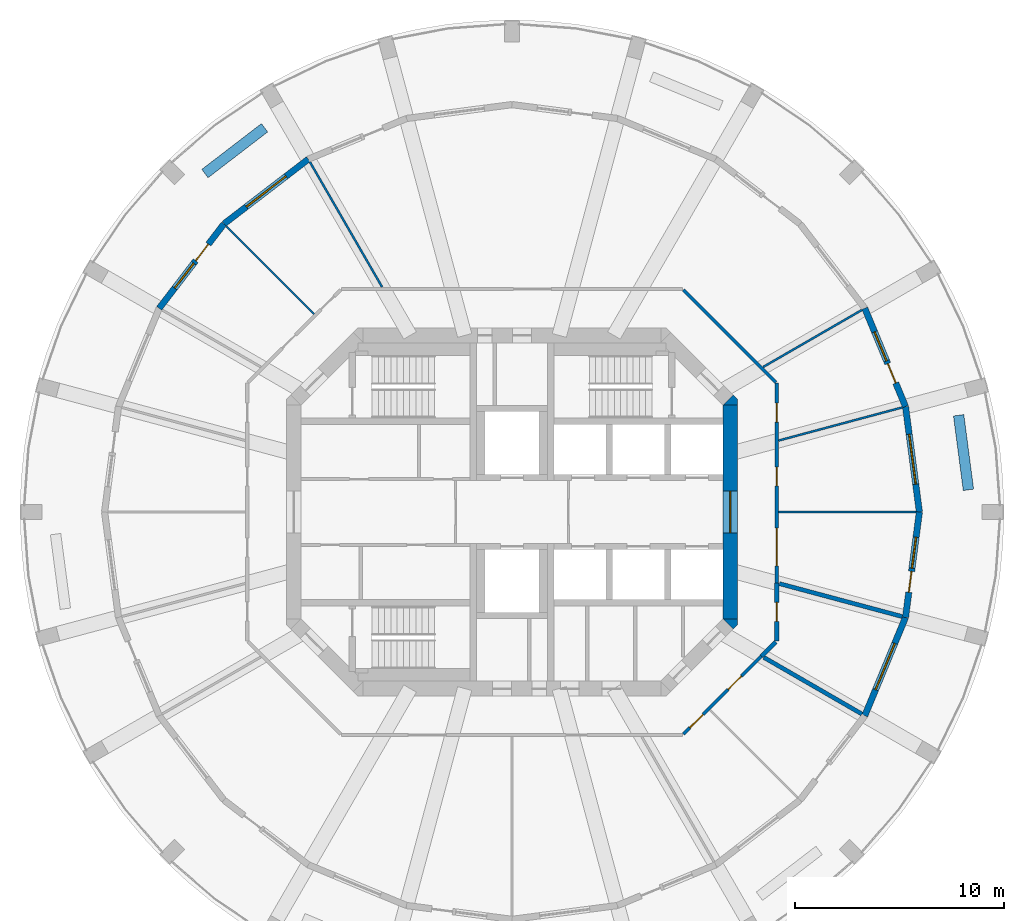
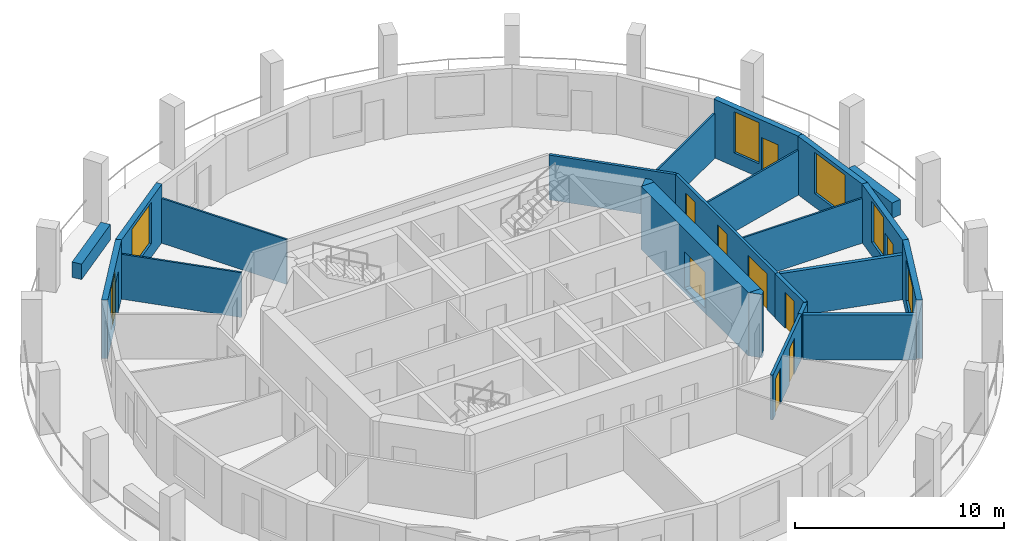
# One storey, part 5 of 8: 23 walls, 10 doors, 6 windows, 16 openings.
"""IFC4 building model written with IfcOpenShell, lengths in metres."""

from ifc_helpers import new_model, si_unit, direction, frame, frame_2d, origin, place, context, subcontext, project, spatial, polyline, rectangle, outline, extrude, material, layer, layer_set, type_object, element, fill, save


model = new_model("IFC4")

# Units and contexts
model_context = context("Model", 3, precision=1e-05, world=origin(), true_north=direction((0.0, 1.0)))
body_context = subcontext(model_context, "Body", "Model", "MODEL_VIEW")
ifc_project = project(units=[si_unit("LENGTHUNIT", "METRE"), si_unit("AREAUNIT", "SQUARE_METRE"), si_unit("VOLUMEUNIT", "CUBIC_METRE"), si_unit("PLANEANGLEUNIT", "RADIAN"), si_unit("MASSUNIT", "GRAM", prefix="KILO")], contexts=[model_context])

# Site, building, storey
site_placement = place(None, origin())
site = spatial("IfcSite", under=ifc_project, at=site_placement, CompositionType="ELEMENT")
building_placement = place(site_placement, origin())
building = spatial("IfcBuilding", under=site, at=building_placement, Name="Torre Triforio", CompositionType="ELEMENT")
storey_placement = place(building_placement, frame((0.0, 0.0, 192.800048828125)))
storey = spatial("IfcBuildingStorey", under=building, at=storey_placement, Name="L43", CompositionType="ELEMENT", Elevation=192.800048828125)

# Wall, opening, door
ifc_material_1 = material(Name="Concrete C50", Category="concrete")
ifc_layer_1 = layer(ifc_material_1, 0.699951171875)
ifc_layer_set_1 = layer_set([ifc_layer_1], Name="Concrete C50")
wall_type_1 = type_object("IfcWallType", Name="Core wall 700 mm C50 EI 120", PredefinedType="SHEAR", material=ifc_layer_set_1)
wall_1_placement = place(storey_placement, frame((10.449951171875, -5.1298828125, -0.280029296875), z_axis=(0.0, 0.0, 1.0), x_axis=(0.0, 1.0, 0.0)))
wall_1 = element("IfcWall", 1, at=wall_1_placement, inside=storey, type_object=wall_type_1, Name="Core wall", PredefinedType="SHEAR", context=body_context, shape_type="SweptSolid", body=[
    extrude(rectangle(XDim=10.259765625, YDim=0.699951171875, at=frame_2d((5.1298828125, 0.0))), origin(), (0.0, 0.0, 1.0), 3.699951171875),
])
opening_1_placement = place(wall_1_placement, frame((4.1298828125, 0.0, 0.280029296875)))
opening_1 = element("IfcOpeningElement", 2, at=opening_1_placement, cuts=wall_1, Name="Opening E-RING", PredefinedType="OPENING", context=body_context, shape_type="SweptSolid", body=[
    extrude(rectangle(XDim=2.0, YDim=2.10009765625, at=frame_2d((1.0, 1.050048828125))), frame((0.0, 0.35986328125, 0.0), z_axis=(0.0, -1.0, 0.0), x_axis=(1.0, 0.0, 0.0)), (0.0, 0.0, 1.0), 0.719970703125),
])
ifc_material_2 = material(Name="Hollow metal fire door leaf")
door_type_1 = type_object("IfcDoorType", Name="Lobby door 2000 x 2100 EI 60", OperationType="DOUBLE_DOOR_SINGLE_SWING", PredefinedType="DOOR", material=ifc_material_2)
door_1_placement = place(opening_1_placement, origin())
door_1 = element("IfcDoor", 3, at=door_1_placement, inside=storey, type_object=door_type_1, Name="Core door E-RING", OperationType="DOUBLE_DOOR_SINGLE_SWING", OverallHeight=2.10009765625, OverallWidth=2.0, PredefinedType="DOOR", context=body_context, shape_type="SweptSolid", body=[
    extrude(rectangle(XDim=2.0, YDim=2.10009765625, at=frame_2d((1.0, 1.050048828125))), frame((0.0, 0.02490234375, 0.0), z_axis=(0.0, -1.0, 0.0), x_axis=(1.0, 0.0, 0.0)), (0.0, 0.0, 1.0), 0.050048828125),
])
fill(opening_1, door_1)

# Walls
wall_2_placement = place(storey_placement, frame((0.0, 0.0, -0.280029296875)))
element("IfcWall", 4, at=wall_2_placement, inside=storey, type_object=wall_type_1, Name="Core wall", PredefinedType="SHEAR", context=body_context, shape_type="SweptSolid", body=[
    extrude(outline(polyline([(10.800048828125, -5.389892578125), (10.594970703125, -5.594970703125), (10.594970703125, -5.594970703125), (10.594970703125, -5.594970703125), (10.1298828125, -5.1298828125), (10.800048828125, -5.1298828125), (10.800048828125, -5.1298828125), (10.800048828125, -5.389892578125)])), origin(), (0.0, 0.0, 1.0), 3.699951171875),
])
wall_3_placement = place(storey_placement, frame((0.0, 0.0, -0.280029296875)))
element("IfcWall", 5, at=wall_3_placement, inside=storey, type_object=wall_type_1, Name="Core wall", PredefinedType="SHEAR", context=body_context, shape_type="SweptSolid", body=[
    extrude(outline(polyline([(10.800048828125, 5.389892578125), (10.800048828125, 5.1298828125), (10.800048828125, 5.1298828125), (10.1298828125, 5.1298828125), (10.594970703125, 5.594970703125), (10.594970703125, 5.594970703125), (10.594970703125, 5.594970703125), (10.800048828125, 5.389892578125)])), origin(), (0.0, 0.0, 1.0), 3.699951171875),
])

# Wall, openings, doors
ifc_material_3 = material(Name="Plasterboard on metal studs")
ifc_layer_2 = layer(ifc_material_3, 0.14990234375)
ifc_layer_set_2 = layer_set([ifc_layer_2], Name="Plasterboard on metal studs")
wall_type_2 = type_object("IfcWallType", Name="Corridor and tenancy wall 150 mm EI 60", PredefinedType="PARTITIONING", material=ifc_layer_set_2)
wall_4_placement = place(storey_placement, frame((11.945068359375, -6.896484375, 0.0), z_axis=(0.0, 0.0, 1.0), x_axis=(-0.707106781187, -0.707106781187, 0.0)))
wall_4 = element("IfcWall", 6, at=wall_4_placement, inside=storey, type_object=wall_type_2, Name="Partition 2", PredefinedType="PARTITIONING", context=body_context, shape_type="SweptSolid", body=[
    extrude(rectangle(XDim=5.291259765625, YDim=0.14990234375, at=frame_2d((2.6455078125, 0.0))), origin(), (0.0, 0.0, 1.0), 2.619873046875),
])
opening_2_placement = place(wall_4_placement, frame((3.95556640625, 0.0, 0.0)))
opening_2 = element("IfcOpeningElement", 7, at=opening_2_placement, cuts=wall_4, Name="Opening O4-10", PredefinedType="OPENING", context=body_context, shape_type="SweptSolid", body=[
    extrude(rectangle(XDim=0.89990234375, YDim=2.10009765625, at=frame_2d((0.449951171875, 1.050048828125))), frame((0.0, 0.0849609375, 0.0), z_axis=(0.0, -1.0, 0.0), x_axis=(1.0, 0.0, 0.0)), (0.0, 0.0, 1.0), 0.169921875),
])
opening_3_placement = place(wall_4_placement, frame((1.35986328125, 0.0, 0.0)))
opening_3 = element("IfcOpeningElement", 8, at=opening_3_placement, cuts=wall_4, Name="Opening O4-11", PredefinedType="OPENING", context=body_context, shape_type="SweptSolid", body=[
    extrude(rectangle(XDim=0.89990234375, YDim=2.10009765625, at=frame_2d((0.449951171875, 1.050048828125))), frame((0.0, 0.0849609375, 0.0), z_axis=(0.0, -1.0, 0.0), x_axis=(1.0, 0.0, 0.0)), (0.0, 0.0, 1.0), 0.169921875),
])
ifc_material_4 = material(Name="Timber", Category="wood")
door_type_2 = type_object("IfcDoorType", Name="Door 900 x 2100 single leaf EI 30", OperationType="NOTDEFINED", PredefinedType="DOOR", material=ifc_material_4)
door_2_placement = place(opening_2_placement, origin())
door_2 = element("IfcDoor", 9, at=door_2_placement, inside=storey, type_object=door_type_2, Name="Door O4-10", OperationType="SINGLE_SWING_LEFT", OverallHeight=2.10009765625, OverallWidth=0.89990234375, PredefinedType="DOOR", context=body_context, shape_type="SweptSolid", body=[
    extrude(rectangle(XDim=0.89990234375, YDim=2.10009765625, at=frame_2d((0.449951171875, 1.050048828125))), frame((0.0, 0.02490234375, 0.0), z_axis=(0.0, -1.0, 0.0), x_axis=(1.0, 0.0, 0.0)), (0.0, 0.0, 1.0), 0.050048828125),
])
fill(opening_2, door_2)
door_3_placement = place(opening_3_placement, origin())
door_3 = element("IfcDoor", 10, at=door_3_placement, inside=storey, type_object=door_type_2, Name="Door O4-11", OperationType="SINGLE_SWING_LEFT", OverallHeight=2.10009765625, OverallWidth=0.89990234375, PredefinedType="DOOR", context=body_context, shape_type="SweptSolid", body=[
    extrude(rectangle(XDim=0.89990234375, YDim=2.10009765625, at=frame_2d((0.449951171875, 1.050048828125))), frame((0.0, 0.02490234375, 0.0), z_axis=(0.0, -1.0, 0.0), x_axis=(1.0, 0.0, 0.0)), (0.0, 0.0, 1.0), 0.050048828125),
])
fill(opening_3, door_3)

# Wall
wall_5_placement = place(storey_placement, frame((8.20361328125, 10.637939453125, 0.0), z_axis=(0.0, 0.0, 1.0), x_axis=(0.707106781187, -0.707106781187, 0.0)))
element("IfcWall", 11, at=wall_5_placement, inside=storey, type_object=wall_type_2, Name="Partition 8", PredefinedType="PARTITIONING", context=body_context, shape_type="SweptSolid", body=[
    extrude(rectangle(XDim=6.27099609375, YDim=0.14990234375, at=frame_2d((3.135498046875, 0.0))), origin(), (0.0, 0.0, 1.0), 2.619873046875),
])

# Wall, openings, doors
wall_6_placement = place(storey_placement, frame((12.675048828125, 6.16650390625, 0.0), z_axis=(0.0, 0.0, 1.0), x_axis=(0.0, -1.0, 0.0)))
wall_6 = element("IfcWall", 12, at=wall_6_placement, inside=storey, type_object=wall_type_2, Name="Partition 9", PredefinedType="PARTITIONING", context=body_context, shape_type="SweptSolid", body=[
    extrude(rectangle(XDim=9.562744140625, YDim=0.14990234375, at=frame_2d((4.78125, 0.0))), origin(), (0.0, 0.0, 1.0), 2.619873046875),
])
opening_4_placement = place(wall_6_placement, frame((6.939697265625, 0.0, 0.0)))
opening_4 = element("IfcOpeningElement", 13, at=opening_4_placement, cuts=wall_6, Name="Opening O4-13", PredefinedType="OPENING", context=body_context, shape_type="SweptSolid", body=[
    extrude(rectangle(XDim=1.800048828125, YDim=2.10009765625, at=frame_2d((0.89990234375, 1.050048828125))), frame((0.0, 0.0849609375, 0.0), z_axis=(0.0, -1.0, 0.0), x_axis=(1.0, 0.0, 0.0)), (0.0, 0.0, 1.0), 0.169921875),
])
opening_5_placement = place(wall_6_placement, frame((4.017578125, 0.0, 0.0)))
opening_5 = element("IfcOpeningElement", 14, at=opening_5_placement, cuts=wall_6, Name="Opening O4-14", PredefinedType="OPENING", context=body_context, shape_type="SweptSolid", body=[
    extrude(rectangle(XDim=0.89990234375, YDim=2.10009765625, at=frame_2d((0.449951171875, 1.050048828125))), frame((0.0, 0.0849609375, 0.0), z_axis=(0.0, -1.0, 0.0), x_axis=(1.0, 0.0, 0.0)), (0.0, 0.0, 1.0), 0.169921875),
])
opening_6_placement = place(wall_6_placement, frame((0.960205078125, 0.0, 0.0)))
opening_6 = element("IfcOpeningElement", 15, at=opening_6_placement, cuts=wall_6, Name="Opening O4-15", PredefinedType="OPENING", context=body_context, shape_type="SweptSolid", body=[
    extrude(rectangle(XDim=0.89990234375, YDim=2.10009765625, at=frame_2d((0.449951171875, 1.050048828125))), frame((0.0, 0.0849609375, 0.0), z_axis=(0.0, -1.0, 0.0), x_axis=(1.0, 0.0, 0.0)), (0.0, 0.0, 1.0), 0.169921875),
])
door_type_3 = type_object("IfcDoorType", Name="Door 1800 x 2100 double leaf EI 30", OperationType="DOUBLE_DOOR_SINGLE_SWING", PredefinedType="DOOR", material=ifc_material_4)
door_4_placement = place(opening_4_placement, origin())
door_4 = element("IfcDoor", 16, at=door_4_placement, inside=storey, type_object=door_type_3, Name="Door O4-13", OperationType="DOUBLE_DOOR_SINGLE_SWING", OverallHeight=2.10009765625, OverallWidth=1.800048828125, PredefinedType="DOOR", context=body_context, shape_type="SweptSolid", body=[
    extrude(rectangle(XDim=1.800048828125, YDim=2.10009765625, at=frame_2d((0.89990234375, 1.050048828125))), frame((0.0, 0.02490234375, 0.0), z_axis=(0.0, -1.0, 0.0), x_axis=(1.0, 0.0, 0.0)), (0.0, 0.0, 1.0), 0.050048828125),
])
fill(opening_4, door_4)
door_5_placement = place(opening_5_placement, origin())
door_5 = element("IfcDoor", 17, at=door_5_placement, inside=storey, type_object=door_type_2, Name="Door O4-14", OperationType="SINGLE_SWING_LEFT", OverallHeight=2.10009765625, OverallWidth=0.89990234375, PredefinedType="DOOR", context=body_context, shape_type="SweptSolid", body=[
    extrude(rectangle(XDim=0.89990234375, YDim=2.10009765625, at=frame_2d((0.449951171875, 1.050048828125))), frame((0.0, 0.02490234375, 0.0), z_axis=(0.0, -1.0, 0.0), x_axis=(1.0, 0.0, 0.0)), (0.0, 0.0, 1.0), 0.050048828125),
])
fill(opening_5, door_5)
door_6_placement = place(opening_6_placement, origin())
door_6 = element("IfcDoor", 18, at=door_6_placement, inside=storey, type_object=door_type_2, Name="Door O4-15", OperationType="SINGLE_SWING_LEFT", OverallHeight=2.10009765625, OverallWidth=0.89990234375, PredefinedType="DOOR", context=body_context, shape_type="SweptSolid", body=[
    extrude(rectangle(XDim=0.89990234375, YDim=2.10009765625, at=frame_2d((0.449951171875, 1.050048828125))), frame((0.0, 0.02490234375, 0.0), z_axis=(0.0, -1.0, 0.0), x_axis=(1.0, 0.0, 0.0)), (0.0, 0.0, 1.0), 0.050048828125),
])
fill(opening_6, door_6)

# Walls
ifc_layer_3 = layer(ifc_material_3, 0.10009765625)
ifc_layer_set_3 = layer_set([ifc_layer_3], Name="Plasterboard on metal studs")
wall_type_3 = type_object("IfcWallType", Name="Partition 100 mm board on metal studs", PredefinedType="PARTITIONING", material=ifc_layer_set_3)
wall_7_placement = place(storey_placement, frame((12.75, 0.0, 0.0), z_axis=(0.0, 0.0, 1.0), x_axis=(1.0, 0.0, 0.0)))
element("IfcWall", 19, at=wall_7_placement, inside=storey, type_object=wall_type_3, Name="Partition 11", PredefinedType="PARTITIONING", context=body_context, shape_type="SweptSolid", body=[
    extrude(rectangle(XDim=6.586669921875, YDim=0.10009765625, at=frame_2d((3.29345703125, 0.0))), origin(), (0.0, 0.0, 1.0), 2.619873046875),
])
wall_8_placement = place(storey_placement, frame((12.764404296875, 3.420166015625, 0.0), z_axis=(0.0, 0.0, 1.0), x_axis=(0.965925800266, 0.258819142221, 0.0)))
element("IfcWall", 20, at=wall_8_placement, inside=storey, type_object=wall_type_3, Name="Partition 12", PredefinedType="PARTITIONING", context=body_context, shape_type="SweptSolid", body=[
    extrude(rectangle(XDim=6.121826171875, YDim=0.10009765625, at=frame_2d((3.06103515625, 0.0))), origin(), (0.0, 0.0, 1.0), 2.619873046875),
])
wall_9_placement = place(storey_placement, frame((12.025146484375, 6.94287109375, 0.0), z_axis=(0.0, 0.0, 1.0), x_axis=(0.866029712004, 0.499992537871, 0.0)))
element("IfcWall", 21, at=wall_9_placement, inside=storey, type_object=wall_type_3, Name="Partition 13", PredefinedType="PARTITIONING", context=body_context, shape_type="SweptSolid", body=[
    extrude(rectangle(XDim=5.451171875, YDim=0.10009765625, at=frame_2d((2.7255859375, 0.0))), origin(), (0.0, 0.0, 1.0), 2.619873046875),
])
wall_10_placement = place(storey_placement, frame((-6.220703125, 10.774658203125, 0.0), z_axis=(0.0, 0.0, 1.0), x_axis=(-0.500015661236, 0.866016361577, 0.0)))
element("IfcWall", 22, at=wall_10_placement, inside=storey, type_object=wall_type_3, Name="Partition 14", PredefinedType="PARTITIONING", context=body_context, shape_type="SweptSolid", body=[
    extrude(rectangle(XDim=6.895263671875, YDim=0.10009765625, at=frame_2d((3.44775390625, 0.0))), origin(), (0.0, 0.0, 1.0), 2.619873046875),
])
wall_11_placement = place(storey_placement, frame((-9.473876953125, 9.473876953125, 0.0), z_axis=(0.0, 0.0, 1.0), x_axis=(-0.707106781187, 0.707106781187, 0.0)))
element("IfcWall", 23, at=wall_11_placement, inside=storey, type_object=wall_type_3, Name="Partition 15", PredefinedType="PARTITIONING", context=body_context, shape_type="SweptSolid", body=[
    extrude(rectangle(XDim=5.9384765625, YDim=0.10009765625, at=frame_2d((2.96923828125, 0.0))), origin(), (0.0, 0.0, 1.0), 2.619873046875),
])
ifc_material_5 = material(Name="Masonry block", Category="masonry")
ifc_layer_4 = layer(ifc_material_5, 0.199951171875)
ifc_layer_set_4 = layer_set([ifc_layer_4], Name="Masonry block")
wall_type_4 = type_object("IfcWallType", Name="Plant room wall 200 mm block EI 120", PredefinedType="PARTITIONING", material=ifc_layer_set_4)
wall_12_placement = place(storey_placement, frame((12.62548828125, -6.216064453125, 0.0), z_axis=(0.0, 0.0, 1.0), x_axis=(-0.707106781187, -0.707106781187, 0.0)))
element("IfcWall", 24, at=wall_12_placement, inside=storey, type_object=wall_type_4, Name="Partition 1", PredefinedType="PARTITIONING", context=body_context, shape_type="SweptSolid", body=[
    extrude(rectangle(XDim=0.962158203125, YDim=0.199951171875, at=frame_2d((0.48095703125, 0.0))), origin(), (0.0, 0.0, 1.0), 2.619873046875),
])

# Wall, opening, door
wall_13_placement = place(storey_placement, frame((12.675048828125, -3.396240234375, 0.0), z_axis=(0.0, 0.0, 1.0), x_axis=(0.0, -1.0, 0.0)))
wall_13 = element("IfcWall", 25, at=wall_13_placement, inside=storey, type_object=wall_type_4, Name="Partition 10", PredefinedType="PARTITIONING", context=body_context, shape_type="SweptSolid", body=[
    extrude(rectangle(XDim=2.770263671875, YDim=0.199951171875, at=frame_2d((1.38525390625, 0.0))), origin(), (0.0, 0.0, 1.0), 2.619873046875),
])
opening_7_placement = place(wall_13_placement, frame((0.935302734375, 0.0, 0.0)))
opening_7 = element("IfcOpeningElement", 26, at=opening_7_placement, cuts=wall_13, Name="Opening O4-12", PredefinedType="OPENING", context=body_context, shape_type="SweptSolid", body=[
    extrude(rectangle(XDim=0.89990234375, YDim=2.10009765625, at=frame_2d((0.449951171875, 1.050048828125))), frame((0.0, 0.10986328125, 0.0), z_axis=(0.0, -1.0, 0.0), x_axis=(1.0, 0.0, 0.0)), (0.0, 0.0, 1.0), 0.219970703125),
])
door_type_4 = type_object("IfcDoorType", Name="Door 900 x 2100 single leaf EI 60", OperationType="NOTDEFINED", PredefinedType="DOOR", material=ifc_material_2)
door_7_placement = place(opening_7_placement, origin())
door_7 = element("IfcDoor", 27, at=door_7_placement, inside=storey, type_object=door_type_4, Name="Door O4-12", OperationType="SINGLE_SWING_LEFT", OverallHeight=2.10009765625, OverallWidth=0.89990234375, PredefinedType="DOOR", context=body_context, shape_type="SweptSolid", body=[
    extrude(rectangle(XDim=0.89990234375, YDim=2.10009765625, at=frame_2d((0.449951171875, 1.050048828125))), frame((0.0, 0.02490234375, 0.0), z_axis=(0.0, -1.0, 0.0), x_axis=(1.0, 0.0, 0.0)), (0.0, 0.0, 1.0), 0.050048828125),
])
fill(opening_7, door_7)

# Walls
wall_14_placement = place(storey_placement, frame((12.0576171875, -6.96142578125, 0.0), z_axis=(0.0, 0.0, 1.0), x_axis=(0.86601436245, -0.500019123664, 0.0)))
element("IfcWall", 28, at=wall_14_placement, inside=storey, type_object=wall_type_4, Name="Partition 24", PredefinedType="PARTITIONING", context=body_context, shape_type="SweptSolid", body=[
    extrude(rectangle(XDim=5.413818359375, YDim=0.199951171875, at=frame_2d((2.70703125, 0.0))), origin(), (0.0, 0.0, 1.0), 2.619873046875),
])
wall_15_placement = place(storey_placement, frame((12.800537109375, -3.429931640625, 0.0), z_axis=(0.0, 0.0, 1.0), x_axis=(0.965929245953, -0.258806282407, 0.0)))
element("IfcWall", 29, at=wall_15_placement, inside=storey, type_object=wall_type_4, Name="Partition 25", PredefinedType="PARTITIONING", context=body_context, shape_type="SweptSolid", body=[
    extrude(rectangle(XDim=6.08447265625, YDim=0.199951171875, at=frame_2d((3.042236328125, 0.0))), origin(), (0.0, 0.0, 1.0), 2.619873046875),
])
ifc_material_6 = material(Name="Limestone cladding", Category="masonry")
ifc_layer_5 = layer(ifc_material_6, 0.10009765625)
ifc_material_7 = material(Name="Concrete C40", Category="concrete")
ifc_layer_6 = layer(ifc_material_7, 0.39990234375)
ifc_layer_set_5 = layer_set([ifc_layer_5, ifc_layer_6], Name="Limestone cladding / Concrete C40")
wall_type_5 = type_object("IfcWallType", Name="Planter wall 500", PredefinedType="PARAPET", material=ifc_layer_set_5)
wall_16_placement = place(storey_placement, frame((21.848388671875, 1.060791015625, 0.0), z_axis=(0.0, 0.0, 1.0), x_axis=(-0.130475563272, 0.991451525486, 0.0)))
element("IfcWall", 30, at=wall_16_placement, inside=storey, type_object=wall_type_5, Name="Planter L43 bay 01", PredefinedType="PARAPET", context=body_context, shape_type="SweptSolid", body=[
    extrude(rectangle(XDim=3.60009765625, YDim=0.5, at=frame_2d((1.800048828125, 0.0))), origin(), (0.0, 0.0, 1.0), 0.89990234375),
])
wall_17_placement = place(storey_placement, frame((-11.843017578125, 18.390869140625, 0.0), z_axis=(0.0, 0.0, 1.0), x_axis=(-0.793326845617, -0.608795955984, 0.0)))
element("IfcWall", 31, at=wall_17_placement, inside=storey, type_object=wall_type_5, Name="Planter L43 bay 09", PredefinedType="PARAPET", context=body_context, shape_type="SweptSolid", body=[
    extrude(rectangle(XDim=3.599853515625, YDim=0.5, at=frame_2d((1.7998046875, 0.0))), origin(), (0.0, 0.0, 1.0), 0.89990234375),
])

# Wall, opening, window
ifc_layer_7 = layer(ifc_material_6, 0.10009765625)
ifc_layer_8 = layer(ifc_material_7, 0.199951171875)
ifc_layer_set_6 = layer_set([ifc_layer_7, ifc_layer_8], Name="Limestone cladding / Concrete C40")
wall_type_6 = type_object("IfcWallType", Name="Stone-faced composite wall 300", PredefinedType="STANDARD", material=ifc_layer_set_6)
wall_18_placement = place(storey_placement, frame((19.5, 0.0, 0.0), z_axis=(0.0, 0.0, 1.0), x_axis=(-0.130495451964, 0.99144890792, 0.0)))
wall_18 = element("IfcWall", 32, at=wall_18_placement, inside=storey, type_object=wall_type_6, Name="External wall L43 bay 01", PredefinedType="STANDARD", context=body_context, shape_type="SweptSolid", body=[
    extrude(rectangle(XDim=5.090576171875, YDim=0.300048828125, at=frame_2d((2.54541015625, 0.0))), origin(), (0.0, 0.0, 1.0), 3.419921875),
])
opening_8_placement = place(wall_18_placement, frame((1.34521484375, 0.0, 0.800048828125)))
opening_8 = element("IfcOpeningElement", 33, at=opening_8_placement, cuts=wall_18, Name="Opening O4-W01", PredefinedType="OPENING", context=body_context, shape_type="SweptSolid", body=[
    extrude(rectangle(XDim=2.39990234375, YDim=2.39990234375, at=frame_2d((1.199951171875, 1.199951171875))), frame((0.0, 0.159912109375, 0.0), z_axis=(0.0, -1.0, 0.0), x_axis=(1.0, 0.0, 0.0)), (0.0, 0.0, 1.0), 0.320068359375),
])
ifc_material_8 = material(Name="Aluminium frame with clear double glazing", Category="aluminium")
window_type_1 = type_object("IfcWindowType", Name="Punched window 2400 x 2400", PartitioningType="DOUBLE_PANEL_VERTICAL", PredefinedType="WINDOW", material=ifc_material_8)
window_1_placement = place(opening_8_placement, origin())
window_1 = element("IfcWindow", 34, at=window_1_placement, inside=storey, type_object=window_type_1, Name="Window EWN4 L43 bay 01", OverallHeight=2.39990234375, OverallWidth=2.39990234375, PartitioningType="SINGLE_PANEL", PredefinedType="WINDOW", context=body_context, shape_type="SweptSolid", body=[
    extrude(rectangle(XDim=2.39990234375, YDim=2.39990234375, at=frame_2d((1.199951171875, 1.199951171875))), frame((0.0, 0.030029296875, 0.0), z_axis=(0.0, -1.0, 0.0), x_axis=(1.0, 0.0, 0.0)), (0.0, 0.0, 1.0), 0.06005859375),
])
fill(opening_8, window_1)

# Wall, openings, door, window
wall_19_placement = place(storey_placement, frame((18.835693359375, 5.047119140625, 0.0), z_axis=(0.0, 0.0, 1.0), x_axis=(-0.382724538613, 0.923862504675, 0.0)))
wall_19 = element("IfcWall", 35, at=wall_19_placement, inside=storey, type_object=wall_type_6, Name="External wall L43 bay 02", PredefinedType="STANDARD", context=body_context, shape_type="SweptSolid", body=[
    extrude(rectangle(XDim=5.090576171875, YDim=0.300048828125, at=frame_2d((2.54541015625, 0.0))), origin(), (0.0, 0.0, 1.0), 3.419921875),
])
opening_9_placement = place(wall_19_placement, frame((1.22021484375, 0.0, 0.0)))
opening_9 = element("IfcOpeningElement", 36, at=opening_9_placement, cuts=wall_19, Name="Opening O4-D02", PredefinedType="OPENING", context=body_context, shape_type="SweptSolid", body=[
    extrude(rectangle(XDim=1.0, YDim=2.39990234375, at=frame_2d((0.5, 1.199951171875))), frame((0.0, 0.159912109375, 0.0), z_axis=(0.0, -1.0, 0.0), x_axis=(1.0, 0.0, 0.0)), (0.0, 0.0, 1.0), 0.320068359375),
])
opening_10_placement = place(wall_19_placement, frame((2.370361328125, 0.0, 0.800048828125)))
opening_10 = element("IfcOpeningElement", 37, at=opening_10_placement, cuts=wall_19, Name="Opening O4-W02A", PredefinedType="OPENING", context=body_context, shape_type="SweptSolid", body=[
    extrude(rectangle(XDim=1.5, YDim=2.39990234375, at=frame_2d((0.75, 1.199951171875))), frame((0.0, 0.159912109375, 0.0), z_axis=(0.0, -1.0, 0.0), x_axis=(1.0, 0.0, 0.0)), (0.0, 0.0, 1.0), 0.320068359375),
])
door_type_5 = type_object("IfcDoorType", Name="Loggia door 1000 x 2400", OperationType="NOTDEFINED", PredefinedType="DOOR", material=ifc_material_8)
door_8_placement = place(opening_9_placement, origin())
door_8 = element("IfcDoor", 38, at=door_8_placement, inside=storey, type_object=door_type_5, Name="Loggia door L43 bay 02", OperationType="SINGLE_SWING_LEFT", OverallHeight=2.39990234375, OverallWidth=1.0, PredefinedType="DOOR", context=body_context, shape_type="SweptSolid", body=[
    extrude(rectangle(XDim=1.0, YDim=2.39990234375, at=frame_2d((0.5, 1.199951171875))), frame((0.0, 0.02490234375, 0.0), z_axis=(0.0, -1.0, 0.0), x_axis=(1.0, 0.0, 0.0)), (0.0, 0.0, 1.0), 0.050048828125),
])
fill(opening_9, door_8)
window_type_2 = type_object("IfcWindowType", Name="Side window 1500 x 2400", PartitioningType="SINGLE_PANEL", PredefinedType="WINDOW", material=ifc_material_8)
window_2_placement = place(opening_10_placement, origin())
window_2 = element("IfcWindow", 39, at=window_2_placement, inside=storey, type_object=window_type_2, Name="Side window EWN14 L43 bay 02", OverallHeight=2.39990234375, OverallWidth=1.5, PartitioningType="SINGLE_PANEL", PredefinedType="WINDOW", context=body_context, shape_type="SweptSolid", body=[
    extrude(rectangle(XDim=1.5, YDim=2.39990234375, at=frame_2d((0.75, 1.199951171875))), frame((0.0, 0.030029296875, 0.0), z_axis=(0.0, -1.0, 0.0), x_axis=(1.0, 0.0, 0.0)), (0.0, 0.0, 1.0), 0.06005859375),
])
fill(opening_10, window_2)

# Wall, opening, window
wall_20_placement = place(storey_placement, frame((-9.75, 16.887451171875, 0.0), z_axis=(0.0, 0.0, 1.0), x_axis=(-0.79335619014, -0.608757714995, 0.0)))
wall_20 = element("IfcWall", 40, at=wall_20_placement, inside=storey, type_object=wall_type_6, Name="External wall L43 bay 09", PredefinedType="STANDARD", context=body_context, shape_type="SweptSolid", body=[
    extrude(rectangle(XDim=5.090576171875, YDim=0.300048828125, at=frame_2d((2.54541015625, 0.0))), origin(), (0.0, 0.0, 1.0), 3.419921875),
])
opening_11_placement = place(wall_20_placement, frame((1.34521484375, 0.0, 0.800048828125)))
opening_11 = element("IfcOpeningElement", 41, at=opening_11_placement, cuts=wall_20, Name="Opening O4-W09", PredefinedType="OPENING", context=body_context, shape_type="SweptSolid", body=[
    extrude(rectangle(XDim=2.39990234375, YDim=2.39990234375, at=frame_2d((1.199951171875, 1.199951171875))), frame((0.0, 0.159912109375, 0.0), z_axis=(0.0, -1.0, 0.0), x_axis=(1.0, 0.0, 0.0)), (0.0, 0.0, 1.0), 0.320068359375),
])
window_3_placement = place(opening_11_placement, origin())
window_3 = element("IfcWindow", 42, at=window_3_placement, inside=storey, type_object=window_type_1, Name="Window EWN4 L43 bay 09", OverallHeight=2.39990234375, OverallWidth=2.39990234375, PartitioningType="SINGLE_PANEL", PredefinedType="WINDOW", context=body_context, shape_type="SweptSolid", body=[
    extrude(rectangle(XDim=2.39990234375, YDim=2.39990234375, at=frame_2d((1.199951171875, 1.199951171875))), frame((0.0, 0.030029296875, 0.0), z_axis=(0.0, -1.0, 0.0), x_axis=(1.0, 0.0, 0.0)), (0.0, 0.0, 1.0), 0.06005859375),
])
fill(opening_11, window_3)

# Wall, openings, door, window
wall_21_placement = place(storey_placement, frame((-13.78857421875, 13.78857421875, 0.0), z_axis=(0.0, 0.0, 1.0), x_axis=(-0.608757714995, -0.79335619014, 0.0)))
wall_21 = element("IfcWall", 43, at=wall_21_placement, inside=storey, type_object=wall_type_6, Name="External wall L43 bay 10", PredefinedType="STANDARD", context=body_context, shape_type="SweptSolid", body=[
    extrude(rectangle(XDim=5.090576171875, YDim=0.300048828125, at=frame_2d((2.54541015625, 0.0))), origin(), (0.0, 0.0, 1.0), 3.419921875),
])
opening_12_placement = place(wall_21_placement, frame((1.22021484375, 0.0, 0.0)))
opening_12 = element("IfcOpeningElement", 44, at=opening_12_placement, cuts=wall_21, Name="Opening O4-D10", PredefinedType="OPENING", context=body_context, shape_type="SweptSolid", body=[
    extrude(rectangle(XDim=1.0, YDim=2.39990234375, at=frame_2d((0.5, 1.199951171875))), frame((0.0, 0.159912109375, 0.0), z_axis=(0.0, -1.0, 0.0), x_axis=(1.0, 0.0, 0.0)), (0.0, 0.0, 1.0), 0.320068359375),
])
opening_13_placement = place(wall_21_placement, frame((2.370361328125, 0.0, 0.800048828125)))
opening_13 = element("IfcOpeningElement", 45, at=opening_13_placement, cuts=wall_21, Name="Opening O4-W10A", PredefinedType="OPENING", context=body_context, shape_type="SweptSolid", body=[
    extrude(rectangle(XDim=1.5, YDim=2.39990234375, at=frame_2d((0.75, 1.199951171875))), frame((0.0, 0.159912109375, 0.0), z_axis=(0.0, -1.0, 0.0), x_axis=(1.0, 0.0, 0.0)), (0.0, 0.0, 1.0), 0.320068359375),
])
door_9_placement = place(opening_12_placement, origin())
door_9 = element("IfcDoor", 46, at=door_9_placement, inside=storey, type_object=door_type_5, Name="Loggia door L43 bay 10", OperationType="SINGLE_SWING_LEFT", OverallHeight=2.39990234375, OverallWidth=1.0, PredefinedType="DOOR", context=body_context, shape_type="SweptSolid", body=[
    extrude(rectangle(XDim=1.0, YDim=2.39990234375, at=frame_2d((0.5, 1.199951171875))), frame((0.0, 0.02490234375, 0.0), z_axis=(0.0, -1.0, 0.0), x_axis=(1.0, 0.0, 0.0)), (0.0, 0.0, 1.0), 0.050048828125),
])
fill(opening_12, door_9)
window_4_placement = place(opening_13_placement, origin())
window_4 = element("IfcWindow", 47, at=window_4_placement, inside=storey, type_object=window_type_2, Name="Side window EWN14 L43 bay 10", OverallHeight=2.39990234375, OverallWidth=1.5, PartitioningType="SINGLE_PANEL", PredefinedType="WINDOW", context=body_context, shape_type="SweptSolid", body=[
    extrude(rectangle(XDim=1.5, YDim=2.39990234375, at=frame_2d((0.75, 1.199951171875))), frame((0.0, 0.030029296875, 0.0), z_axis=(0.0, -1.0, 0.0), x_axis=(1.0, 0.0, 0.0)), (0.0, 0.0, 1.0), 0.06005859375),
])
fill(opening_13, window_4)

# Wall, opening, window
wall_22_placement = place(storey_placement, frame((16.887451171875, -9.75, 0.0), z_axis=(0.0, 0.0, 1.0), x_axis=(0.382724538613, 0.923862504675, 0.0)))
wall_22 = element("IfcWall", 48, at=wall_22_placement, inside=storey, type_object=wall_type_6, Name="External wall L43 bay 23", PredefinedType="STANDARD", context=body_context, shape_type="SweptSolid", body=[
    extrude(rectangle(XDim=5.090576171875, YDim=0.300048828125, at=frame_2d((2.54541015625, 0.0))), origin(), (0.0, 0.0, 1.0), 3.419921875),
])
opening_14_placement = place(wall_22_placement, frame((1.34521484375, 0.0, 0.800048828125)))
opening_14 = element("IfcOpeningElement", 49, at=opening_14_placement, cuts=wall_22, Name="Opening O4-W23", PredefinedType="OPENING", context=body_context, shape_type="SweptSolid", body=[
    extrude(rectangle(XDim=2.39990234375, YDim=2.39990234375, at=frame_2d((1.199951171875, 1.199951171875))), frame((0.0, 0.159912109375, 0.0), z_axis=(0.0, -1.0, 0.0), x_axis=(1.0, 0.0, 0.0)), (0.0, 0.0, 1.0), 0.320068359375),
])
window_5_placement = place(opening_14_placement, origin())
window_5 = element("IfcWindow", 50, at=window_5_placement, inside=storey, type_object=window_type_1, Name="Window EWN4 L43 bay 23", OverallHeight=2.39990234375, OverallWidth=2.39990234375, PartitioningType="SINGLE_PANEL", PredefinedType="WINDOW", context=body_context, shape_type="SweptSolid", body=[
    extrude(rectangle(XDim=2.39990234375, YDim=2.39990234375, at=frame_2d((1.199951171875, 1.199951171875))), frame((0.0, 0.030029296875, 0.0), z_axis=(0.0, -1.0, 0.0), x_axis=(1.0, 0.0, 0.0)), (0.0, 0.0, 1.0), 0.06005859375),
])
fill(opening_14, window_5)

# Wall, openings, door, window
wall_23_placement = place(storey_placement, frame((18.835693359375, -5.047119140625, 0.0), z_axis=(0.0, 0.0, 1.0), x_axis=(0.130495451964, 0.99144890792, 0.0)))
wall_23 = element("IfcWall", 51, at=wall_23_placement, inside=storey, type_object=wall_type_6, Name="External wall L43 bay 24", PredefinedType="STANDARD", context=body_context, shape_type="SweptSolid", body=[
    extrude(rectangle(XDim=5.090576171875, YDim=0.300048828125, at=frame_2d((2.54541015625, 0.0))), origin(), (0.0, 0.0, 1.0), 3.419921875),
])
opening_15_placement = place(wall_23_placement, frame((1.22021484375, 0.0, 0.0)))
opening_15 = element("IfcOpeningElement", 52, at=opening_15_placement, cuts=wall_23, Name="Opening O4-D24", PredefinedType="OPENING", context=body_context, shape_type="SweptSolid", body=[
    extrude(rectangle(XDim=1.0, YDim=2.39990234375, at=frame_2d((0.5, 1.199951171875))), frame((0.0, 0.159912109375, 0.0), z_axis=(0.0, -1.0, 0.0), x_axis=(1.0, 0.0, 0.0)), (0.0, 0.0, 1.0), 0.320068359375),
])
opening_16_placement = place(wall_23_placement, frame((2.370361328125, 0.0, 0.800048828125)))
opening_16 = element("IfcOpeningElement", 53, at=opening_16_placement, cuts=wall_23, Name="Opening O4-W24A", PredefinedType="OPENING", context=body_context, shape_type="SweptSolid", body=[
    extrude(rectangle(XDim=1.5, YDim=2.39990234375, at=frame_2d((0.75, 1.199951171875))), frame((0.0, 0.159912109375, 0.0), z_axis=(0.0, -1.0, 0.0), x_axis=(1.0, 0.0, 0.0)), (0.0, 0.0, 1.0), 0.320068359375),
])
door_10_placement = place(opening_15_placement, origin())
door_10 = element("IfcDoor", 54, at=door_10_placement, inside=storey, type_object=door_type_5, Name="Loggia door L43 bay 24", OperationType="SINGLE_SWING_LEFT", OverallHeight=2.39990234375, OverallWidth=1.0, PredefinedType="DOOR", context=body_context, shape_type="SweptSolid", body=[
    extrude(rectangle(XDim=1.0, YDim=2.39990234375, at=frame_2d((0.5, 1.199951171875))), frame((0.0, 0.02490234375, 0.0), z_axis=(0.0, -1.0, 0.0), x_axis=(1.0, 0.0, 0.0)), (0.0, 0.0, 1.0), 0.050048828125),
])
fill(opening_15, door_10)
window_6_placement = place(opening_16_placement, origin())
window_6 = element("IfcWindow", 55, at=window_6_placement, inside=storey, type_object=window_type_2, Name="Side window EWN14 L43 bay 24", OverallHeight=2.39990234375, OverallWidth=1.5, PartitioningType="SINGLE_PANEL", PredefinedType="WINDOW", context=body_context, shape_type="SweptSolid", body=[
    extrude(rectangle(XDim=1.5, YDim=2.39990234375, at=frame_2d((0.75, 1.199951171875))), frame((0.0, 0.030029296875, 0.0), z_axis=(0.0, -1.0, 0.0), x_axis=(1.0, 0.0, 0.0)), (0.0, 0.0, 1.0), 0.06005859375),
])
fill(opening_16, window_6)

save(model, "model.ifc")
